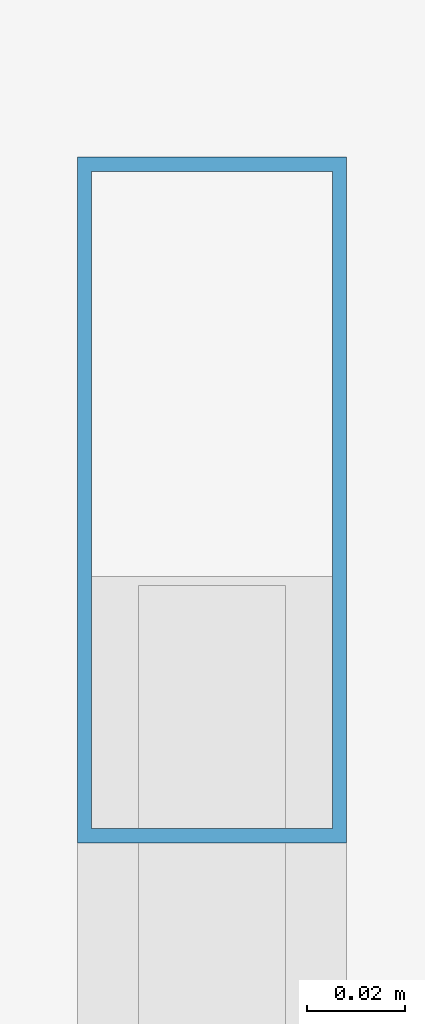
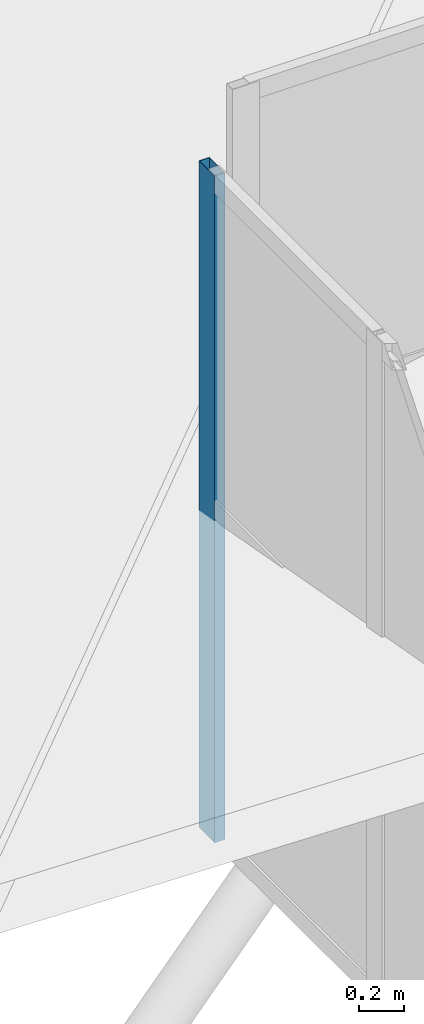
# One storey, part 222 of 397: 1 member, 1 element without a shape of its own.
"""IFC4 building model written with IfcOpenShell, lengths in metres."""

from ifc_helpers import new_model, si_unit, direction, frame, origin, origin_2d, place, context, subcontext, project, spatial, hollow_rectangle, extrude, material, material_profile, profile_set, type_object, element, aggregate, save


model = new_model("IFC4")

# Units and contexts
model_context = context("Model", 3, precision=1e-05, world=origin(), true_north=direction((0.0, 1.0)))
body_context = subcontext(model_context, "Body", "Model", "MODEL_VIEW")
ifc_project = project(units=[si_unit("LENGTHUNIT", "METRE"), si_unit("AREAUNIT", "SQUARE_METRE"), si_unit("VOLUMEUNIT", "CUBIC_METRE"), si_unit("PLANEANGLEUNIT", "RADIAN"), si_unit("MASSUNIT", "GRAM", prefix="KILO")], contexts=[model_context])

# Site, building, storey
site_placement = place(None, origin())
site = spatial("IfcSite", under=ifc_project, at=site_placement, CompositionType="ELEMENT")
building_placement = place(site_placement, origin())
building = spatial("IfcBuilding", under=site, at=building_placement, Name="Qandorah Velis Arena", CompositionType="ELEMENT")
storey_placement = place(building_placement, frame((0.0, 0.0, 27.5)))
storey = spatial("IfcBuildingStorey", under=building, at=storey_placement, Name="RF", CompositionType="ELEMENT", Elevation=27.5)

# Curtain wall, member
ifc_material_1 = material(Name="Solar-control low-E double glazing", Category="glass")
curtain_wall_type = type_object("IfcCurtainWallType", Name="ARC-CW-SYS12", PredefinedType="USERDEFINED", material=ifc_material_1)
curtain_wall_placement = place(storey_placement, origin())
curtain_wall = element("IfcCurtainWall", 1, at=curtain_wall_placement, inside=storey, type_object=curtain_wall_type, Name="Unitised curtain wall MON-1-6", ObjectType="UNITISED CURTAIN WALL", PredefinedType="USERDEFINED")
ifc_material_2 = material(Name="Champagne-bronze anodized aluminium 6063-T6", Category="aluminium")
ifc_material_profile = material_profile(ifc_material_2, hollow_rectangle(XDim=0.054931640625, YDim=0.139892578125, WallThickness=0.0029296875, at=origin_2d()), Name="ALU MULLION 55x140")
ifc_profile_set = profile_set([ifc_material_profile], Name="Champagne-bronze anodized aluminium 6063-T6")
member_type = type_object("IfcMemberType", Name="ARC-CWM-140", PredefinedType="MULLION", material=ifc_profile_set)
member_placement = place(storey_placement, frame((21.60009765625, 107.62255859375, 3.5263671875), z_axis=(0.0, 0.0, 1.0), x_axis=(-1.0, 0.0, 0.0)))
member = element("IfcMember", 2, at=member_placement, type_object=member_type, Name="CW12 mullion 10", PredefinedType="MULLION", context=body_context, shape_type="SweptSolid", body=[
    extrude(hollow_rectangle(XDim=0.054931640625, YDim=0.139892578125, WallThickness=0.0029296875, at=origin_2d()), origin(), (0.0, 0.0, 1.0), 3.630126953125),
])
aggregate(curtain_wall, [member])

save(model, "model.ifc")
